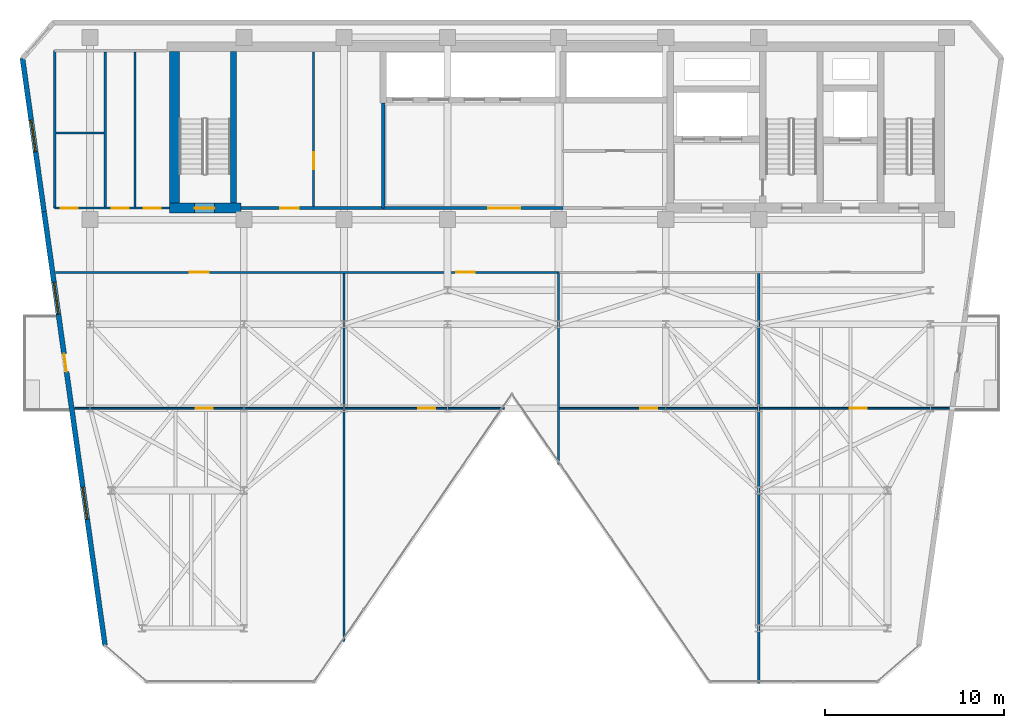
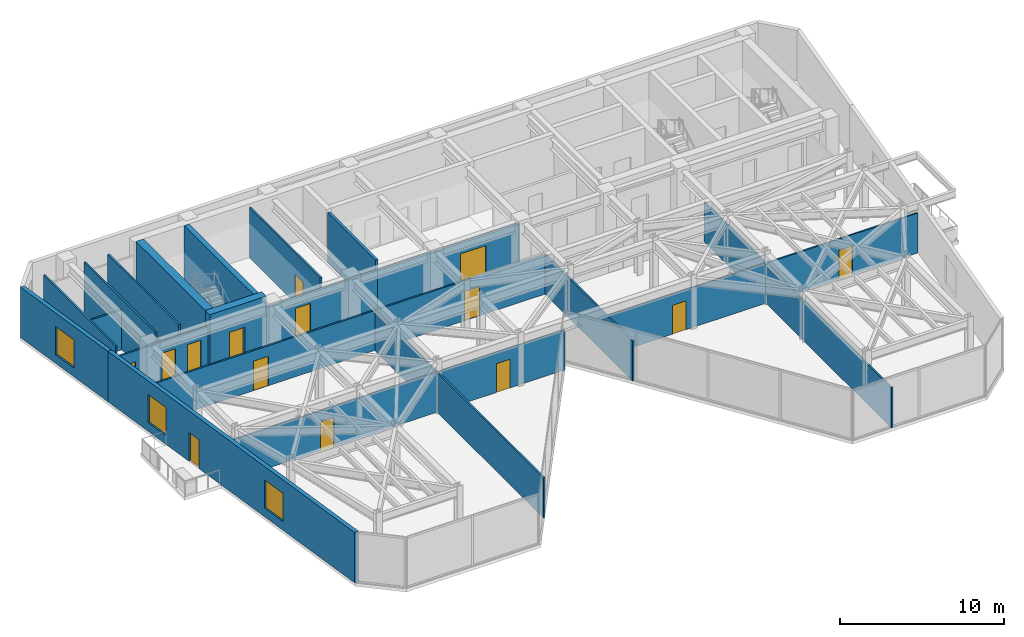
# One storey, part 16 of 21: 22 walls, 14 doors, 3 windows, 17 openings.
"""IFC4 building model written with IfcOpenShell, lengths in metres."""

from ifc_helpers import new_model, si_unit, direction, frame, frame_2d, origin, place, context, subcontext, project, spatial, rectangle, extrude, material, layer, layer_set, type_object, element, fill, save


model = new_model("IFC4")

# Units and contexts
model_context = context("Model", 3, precision=1e-05, world=origin(), true_north=direction((0.0, 1.0)))
body_context = subcontext(model_context, "Body", "Model", "MODEL_VIEW")
ifc_project = project(units=[si_unit("LENGTHUNIT", "METRE"), si_unit("AREAUNIT", "SQUARE_METRE"), si_unit("VOLUMEUNIT", "CUBIC_METRE"), si_unit("PLANEANGLEUNIT", "RADIAN"), si_unit("MASSUNIT", "GRAM", prefix="KILO")], contexts=[model_context])

# Site, building, storey
site_placement = place(None, origin())
site = spatial("IfcSite", under=ifc_project, at=site_placement, CompositionType="ELEMENT")
building_placement = place(site_placement, origin())
building = spatial("IfcBuilding", under=site, at=building_placement, Name="Kravanh Interchange Tower", CompositionType="ELEMENT")
storey_placement = place(building_placement, frame((0.0, 0.0, 208.5)))
storey = spatial("IfcBuildingStorey", under=building, at=storey_placement, Name="L50", CompositionType="ELEMENT", Elevation=208.5)

# Wall, opening, door
ifc_material_1 = material(Name="Double Acoustic Gypsum Board and Mineral Wool")
ifc_layer_1 = layer(ifc_material_1, 0.1201171875)
ifc_layer_set_1 = layer_set([ifc_layer_1], Name="Acoustic Office Drywall Partition 120mm")
wall_type_1 = type_object("IfcWallType", Name="Acoustic Office Drywall Partition 120mm", PredefinedType="PARTITIONING", material=ifc_layer_set_1)
wall_1_placement = place(storey_placement, frame((31.10009765625, 38.068115234375, 0.0), z_axis=(0.0, 0.0, 1.0), x_axis=(0.0, 1.0, 0.0)))
wall_1 = element("IfcWall", 1, at=wall_1_placement, inside=storey, type_object=wall_type_1, Name="L50 Interior Partition 5", PredefinedType="PARTITIONING", context=body_context, shape_type="SweptSolid", body=[
    extrude(rectangle(XDim=8.673828125, YDim=0.1201171875, at=frame_2d((4.3369140625, 0.0))), origin(), (0.0, 0.0, 1.0), 3.7548828125),
])
opening_1_placement = place(wall_1_placement, frame((2.115966796875, 0.0, 0.0)))
opening_1 = element("IfcOpeningElement", 2, at=opening_1_placement, cuts=wall_1, Name="Opening D-95", PredefinedType="OPENING", context=body_context, shape_type="SweptSolid", body=[
    extrude(rectangle(XDim=0.949951171875, YDim=2.14990234375, at=frame_2d((0.47509765625, 1.074951171875))), frame((0.0, 0.070068359375, 0.0), z_axis=(0.0, -1.0, 0.0), x_axis=(1.0, 0.0, 0.0)), (0.0, 0.0, 1.0), 0.14013671875),
])
ifc_material_2 = material(Name="Laminate Solid-Core Timber", Category="wood")
door_type_1 = type_object("IfcDoorType", Name="Accessible Restroom Door 950x2150", OperationType="NOTDEFINED", PredefinedType="DOOR", material=ifc_material_2)
door_1_placement = place(opening_1_placement, origin())
door_1 = element("IfcDoor", 3, at=door_1_placement, inside=storey, type_object=door_type_1, Name="L50 Reclaimed Archive Inner Door", OperationType="SINGLE_SWING_RIGHT", OverallHeight=2.14990234375, OverallWidth=0.949951171875, PredefinedType="DOOR", context=body_context, shape_type="SweptSolid", body=[
    extrude(rectangle(XDim=0.949951171875, YDim=2.14990234375, at=frame_2d((0.47509765625, 1.074951171875))), frame((0.0, 0.02490234375, 0.0), z_axis=(0.0, -1.0, 0.0), x_axis=(1.0, 0.0, 0.0)), (0.0, 0.0, 1.0), 0.050048828125),
])
fill(opening_1, door_1)

# Wall, openings, doors
wall_2_placement = place(storey_placement, frame((16.6201171875, 38.0, 0.0), z_axis=(0.0, 0.0, 1.0), x_axis=(1.0, 0.0, 0.0)))
wall_2 = element("IfcWall", 4, at=wall_2_placement, inside=storey, type_object=wall_type_1, Name="L50 Restroom Corridor Wall 7", PredefinedType="PARTITIONING", context=body_context, shape_type="SweptSolid", body=[
    extrude(rectangle(XDim=6.429931640625, YDim=0.1201171875, at=frame_2d((3.21484375, 0.0))), origin(), (0.0, 0.0, 1.0), 2.98193359375),
])
opening_2_placement = place(wall_2_placement, frame((0.348876953125, 0.0, 0.0)))
opening_2 = element("IfcOpeningElement", 5, at=opening_2_placement, cuts=wall_2, Name="Opening D-95", PredefinedType="OPENING", context=body_context, shape_type="SweptSolid", body=[
    extrude(rectangle(XDim=0.949951171875, YDim=2.14990234375, at=frame_2d((0.47509765625, 1.074951171875))), frame((0.0, 0.070068359375, 0.0), z_axis=(0.0, -1.0, 0.0), x_axis=(1.0, 0.0, 0.0)), (0.0, 0.0, 1.0), 0.14013671875),
])
opening_3_placement = place(wall_2_placement, frame((3.18505859375, 0.0, 0.0)))
opening_3 = element("IfcOpeningElement", 6, at=opening_3_placement, cuts=wall_2, Name="Opening D-95", PredefinedType="OPENING", context=body_context, shape_type="SweptSolid", body=[
    extrude(rectangle(XDim=0.949951171875, YDim=2.14990234375, at=frame_2d((0.47509765625, 1.074951171875))), frame((0.0, 0.070068359375, 0.0), z_axis=(0.0, -1.0, 0.0), x_axis=(1.0, 0.0, 0.0)), (0.0, 0.0, 1.0), 0.14013671875),
])
opening_4_placement = place(wall_2_placement, frame((4.97509765625, 0.0, 0.0)))
opening_4 = element("IfcOpeningElement", 7, at=opening_4_placement, cuts=wall_2, Name="Opening D-95", PredefinedType="OPENING", context=body_context, shape_type="SweptSolid", body=[
    extrude(rectangle(XDim=0.949951171875, YDim=2.14990234375, at=frame_2d((0.47509765625, 1.074951171875))), frame((0.0, 0.070068359375, 0.0), z_axis=(0.0, -1.0, 0.0), x_axis=(1.0, 0.0, 0.0)), (0.0, 0.0, 1.0), 0.14013671875),
])
door_2_placement = place(opening_2_placement, origin())
door_2 = element("IfcDoor", 8, at=door_2_placement, inside=storey, type_object=door_type_1, Name="L50 Accessible WC Door", OperationType="SINGLE_SWING_LEFT", OverallHeight=2.14990234375, OverallWidth=0.949951171875, PredefinedType="DOOR", context=body_context, shape_type="SweptSolid", body=[
    extrude(rectangle(XDim=0.949951171875, YDim=2.14990234375, at=frame_2d((0.47509765625, 1.074951171875))), frame((0.0, 0.02490234375, 0.0), z_axis=(0.0, -1.0, 0.0), x_axis=(1.0, 0.0, 0.0)), (0.0, 0.0, 1.0), 0.050048828125),
])
fill(opening_2, door_2)
door_3_placement = place(opening_3_placement, origin())
door_3 = element("IfcDoor", 9, at=door_3_placement, inside=storey, type_object=door_type_1, Name="L50 Female WC Door", OperationType="SINGLE_SWING_RIGHT", OverallHeight=2.14990234375, OverallWidth=0.949951171875, PredefinedType="DOOR", context=body_context, shape_type="SweptSolid", body=[
    extrude(rectangle(XDim=0.949951171875, YDim=2.14990234375, at=frame_2d((0.47509765625, 1.074951171875))), frame((0.0, 0.02490234375, 0.0), z_axis=(0.0, -1.0, 0.0), x_axis=(1.0, 0.0, 0.0)), (0.0, 0.0, 1.0), 0.050048828125),
])
fill(opening_3, door_3)
door_4_placement = place(opening_4_placement, origin())
door_4 = element("IfcDoor", 10, at=door_4_placement, inside=storey, type_object=door_type_1, Name="L50 Male WC Door", OperationType="SINGLE_SWING_LEFT", OverallHeight=2.14990234375, OverallWidth=0.949951171875, PredefinedType="DOOR", context=body_context, shape_type="SweptSolid", body=[
    extrude(rectangle(XDim=0.949951171875, YDim=2.14990234375, at=frame_2d((0.47509765625, 1.074951171875))), frame((0.0, 0.02490234375, 0.0), z_axis=(0.0, -1.0, 0.0), x_axis=(1.0, 0.0, 0.0)), (0.0, 0.0, 1.0), 0.050048828125),
])
fill(opening_4, door_4)

# Walls
wall_3_placement = place(storey_placement, frame((16.6201171875, 38.0, 0.0), z_axis=(0.0, 0.0, 1.0), x_axis=(0.0, 1.0, 0.0)))
element("IfcWall", 11, at=wall_3_placement, inside=storey, type_object=wall_type_1, Name="L50 Restroom West Enclosure 8", PredefinedType="PARTITIONING", context=body_context, shape_type="SweptSolid", body=[
    extrude(rectangle(XDim=8.800048828125, YDim=0.1201171875, at=frame_2d((4.39990234375, 0.0))), origin(), (0.0, 0.0, 1.0), 3.7548828125),
])
for number, where, z_axis, x_axis, name in (
    (12, (19.449951171875, 38.068115234375, 0.0), (0.0, 0.0, 1.0), (0.0, 1.0, 0.0), "L50 Interior Partition 10"),
    (13, (21.110107421875, 38.068115234375, 0.0), (0.0, 0.0, 1.0), (0.0, 1.0, 0.0), "L50 Interior Partition 11"),
):
    element("IfcWall", number, at=place(storey_placement, frame(where, z_axis=z_axis, x_axis=x_axis)), inside=storey, type_object=wall_type_1, Name=name, PredefinedType="PARTITIONING", context=body_context, shape_type="SweptSolid", body=[
        extrude(rectangle(XDim=8.663818359375, YDim=0.1201171875, at=frame_2d((4.33203125, 0.0))), origin(), (0.0, 0.0, 1.0), 3.7548828125),
    ])
wall_4_placement = place(storey_placement, frame((16.68798828125, 42.199951171875, 0.0), z_axis=(0.0, 0.0, 1.0), x_axis=(1.0, 0.0, 0.0)))
element("IfcWall", 14, at=wall_4_placement, inside=storey, type_object=wall_type_1, Name="L50 Interior Partition 12", PredefinedType="PARTITIONING", context=body_context, shape_type="SweptSolid", body=[
    extrude(rectangle(XDim=2.694091796875, YDim=0.1201171875, at=frame_2d((1.34716796875, 0.0))), origin(), (0.0, 0.0, 1.0), 2.98193359375),
])

# Wall, openings, doors
wall_5_placement = place(storey_placement, frame((16.66943359375, 34.39990234375, 0.0), z_axis=(0.0, 0.0, 1.0), x_axis=(1.0, 0.0, 0.0)))
wall_5 = element("IfcWall", 15, at=wall_5_placement, inside=storey, type_object=wall_type_1, Name="L50 Interior Partition 13", PredefinedType="PARTITIONING", context=body_context, shape_type="SweptSolid", body=[
    extrude(rectangle(XDim=28.130615234375, YDim=0.1201171875, at=frame_2d((14.0654296875, 0.0))), origin(), (0.0, 0.0, 1.0), 2.98193359375),
])
opening_5_placement = place(wall_5_placement, frame((7.515380859375, 0.0, 0.0)))
opening_5 = element("IfcOpeningElement", 16, at=opening_5_placement, cuts=wall_5, Name="Opening D-105", PredefinedType="OPENING", context=body_context, shape_type="SweptSolid", body=[
    extrude(rectangle(XDim=1.050048828125, YDim=2.199951171875, at=frame_2d((0.52490234375, 1.10009765625))), frame((0.0, 0.070068359375, 0.0), z_axis=(0.0, -1.0, 0.0), x_axis=(1.0, 0.0, 0.0)), (0.0, 0.0, 1.0), 0.14013671875),
])
opening_6_placement = place(wall_5_placement, frame((22.4091796875, 0.0, 0.0)))
opening_6 = element("IfcOpeningElement", 17, at=opening_6_placement, cuts=wall_5, Name="Opening D-105", PredefinedType="OPENING", context=body_context, shape_type="SweptSolid", body=[
    extrude(rectangle(XDim=1.050048828125, YDim=2.199951171875, at=frame_2d((0.52490234375, 1.10009765625))), frame((0.0, 0.070068359375, 0.0), z_axis=(0.0, -1.0, 0.0), x_axis=(1.0, 0.0, 0.0)), (0.0, 0.0, 1.0), 0.14013671875),
])
ifc_material_3 = material(Name="Acoustic Glazed Oak and Aluminium", Category="aluminium")
door_type_2 = type_object("IfcDoorType", Name="Office Workplace Door 1050x2200", OperationType="NOTDEFINED", PredefinedType="DOOR", material=ifc_material_3)
door_5_placement = place(opening_5_placement, origin())
door_5 = element("IfcDoor", 18, at=door_5_placement, inside=storey, type_object=door_type_2, Name="L50 North Culinary Kitchenette 13A Door", OperationType="SINGLE_SWING_RIGHT", OverallHeight=2.199951171875, OverallWidth=1.050048828125, PredefinedType="DOOR", context=body_context, shape_type="SweptSolid", body=[
    extrude(rectangle(XDim=1.050048828125, YDim=2.199951171875, at=frame_2d((0.52490234375, 1.10009765625))), frame((0.0, 0.02490234375, 0.0), z_axis=(0.0, -1.0, 0.0), x_axis=(1.0, 0.0, 0.0)), (0.0, 0.0, 1.0), 0.050048828125),
])
fill(opening_5, door_5)
door_6_placement = place(opening_6_placement, origin())
door_6 = element("IfcDoor", 19, at=door_6_placement, inside=storey, type_object=door_type_2, Name="L50 North Briefing Meeting 13B Door", OperationType="SINGLE_SWING_RIGHT", OverallHeight=2.199951171875, OverallWidth=1.050048828125, PredefinedType="DOOR", context=body_context, shape_type="SweptSolid", body=[
    extrude(rectangle(XDim=1.050048828125, YDim=2.199951171875, at=frame_2d((0.52490234375, 1.10009765625))), frame((0.0, 0.02490234375, 0.0), z_axis=(0.0, -1.0, 0.0), x_axis=(1.0, 0.0, 0.0)), (0.0, 0.0, 1.0), 0.050048828125),
])
fill(opening_6, door_6)

# Walls
wall_6_placement = place(storey_placement, frame((32.800048828125, 13.753662109375, 0.0), z_axis=(0.0, 0.0, 1.0), x_axis=(0.0, 1.0, 0.0)))
element("IfcWall", 20, at=wall_6_placement, inside=storey, type_object=wall_type_1, Name="L50 Interior Partition 17", PredefinedType="PARTITIONING", context=body_context, shape_type="SweptSolid", body=[
    extrude(rectangle(XDim=20.578369140625, YDim=0.1201171875, at=frame_2d((10.2890625, 0.0))), origin(), (0.0, 0.0, 1.0), 2.98193359375),
])
wall_7_placement = place(storey_placement, frame((44.800048828125, 23.644775390625, 0.0), z_axis=(0.0, 0.0, 1.0), x_axis=(0.0, 1.0, 0.0)))
element("IfcWall", 21, at=wall_7_placement, inside=storey, type_object=wall_type_1, Name="L50 Interior Partition 19", PredefinedType="PARTITIONING", context=body_context, shape_type="SweptSolid", body=[
    extrude(rectangle(XDim=10.755126953125, YDim=0.1201171875, at=frame_2d((5.37744140625, 0.0))), origin(), (0.0, 0.0, 1.0), 2.98193359375),
])
wall_8_placement = place(storey_placement, frame((56.0, 11.4150390625, 0.0), z_axis=(0.0, 0.0, 1.0), x_axis=(0.0, 1.0, 0.0)))
element("IfcWall", 22, at=wall_8_placement, inside=storey, type_object=wall_type_1, Name="L50 Interior Partition 21", PredefinedType="PARTITIONING", context=body_context, shape_type="SweptSolid", body=[
    extrude(rectangle(XDim=22.9169921875, YDim=0.1201171875, at=frame_2d((11.45849609375, 0.0))), origin(), (0.0, 0.0, 1.0), 2.98193359375),
])
ifc_material_4 = material(Name="Concrete C60/75", Category="concrete")
ifc_layer_2 = layer(ifc_material_4, 0.35009765625)
ifc_layer_set_2 = layer_set([ifc_layer_2], Name="Core Shear Wall Concrete C60/75 350mm")
wall_type_2 = type_object("IfcWallType", Name="Core Shear Wall Concrete C60/75 350mm", PredefinedType="SHEAR", material=ifc_layer_set_2)
wall_9_placement = place(storey_placement, frame((26.625, 38.27490234375, 0.0), z_axis=(0.0, 0.0, 1.0), x_axis=(0.0, 1.0, 0.0)))
element("IfcWall", 23, at=wall_9_placement, inside=storey, type_object=wall_type_2, Name="L50 Stair ST3 East Shear Wall", PredefinedType="SHEAR", context=body_context, shape_type="SweptSolid", body=[
    extrude(rectangle(XDim=8.47509765625, YDim=0.35009765625, at=frame_2d((4.237548828125, 0.0))), origin(), (0.0, 0.0, 1.0), 4.0),
])

# Wall, opening, door
ifc_material_5 = material(Name="Concrete C70/85", Category="concrete")
ifc_layer_3 = layer(ifc_material_5, 0.550048828125)
ifc_layer_set_3 = layer_set([ifc_layer_3], Name="Core Shear Wall Concrete C70/85 550mm")
wall_type_3 = type_object("IfcWallType", Name="Core Shear Wall Concrete C70/85 550mm", PredefinedType="SHEAR", material=ifc_layer_set_3)
wall_10_placement = place(storey_placement, frame((23.050048828125, 38.0, 0.0), z_axis=(0.0, 0.0, 1.0), x_axis=(1.0, 0.0, 0.0)))
wall_10 = element("IfcWall", 24, at=wall_10_placement, inside=storey, type_object=wall_type_3, Name="L50 Stair ST3 South Shear Wall", PredefinedType="SHEAR", context=body_context, shape_type="SweptSolid", body=[
    extrude(rectangle(XDim=4.0, YDim=0.550048828125, at=frame_2d((2.0, 0.0))), origin(), (0.0, 0.0, 1.0), 4.0),
])
opening_7_placement = place(wall_10_placement, frame((1.39990234375, 0.0, 0.0)))
opening_7 = element("IfcOpeningElement", 25, at=opening_7_placement, cuts=wall_10, Name="Opening D-STAIR-110", PredefinedType="OPENING", context=body_context, shape_type="SweptSolid", body=[
    extrude(rectangle(XDim=1.10009765625, YDim=2.199951171875, at=frame_2d((0.550048828125, 1.10009765625))), frame((0.0, 0.28515625, 0.0), z_axis=(0.0, -1.0, 0.0), x_axis=(1.0, 0.0, 0.0)), (0.0, 0.0, 1.0), 0.570068359375),
])
ifc_material_6 = material(Name="Structural Steel S355", Category="steel")
door_type_3 = type_object("IfcDoorType", Name="Fire-Rated Exit Stair Door 1100x2200", OperationType="NOTDEFINED", PredefinedType="DOOR", material=ifc_material_6)
door_7_placement = place(opening_7_placement, origin())
door_7 = element("IfcDoor", 26, at=door_7_placement, inside=storey, type_object=door_type_3, Name="L50 Exit Stair ST3 Door", OperationType="SINGLE_SWING_RIGHT", OverallHeight=2.199951171875, OverallWidth=1.10009765625, PredefinedType="DOOR", context=body_context, shape_type="SweptSolid", body=[
    extrude(rectangle(XDim=1.10009765625, YDim=2.199951171875, at=frame_2d((0.550048828125, 1.10009765625))), frame((0.0, 0.02490234375, 0.0), z_axis=(0.0, -1.0, 0.0), x_axis=(1.0, 0.0, 0.0)), (0.0, 0.0, 1.0), 0.050048828125),
])
fill(opening_7, door_7)

# Wall
wall_11_placement = place(storey_placement, frame((23.324951171875, 38.27490234375, 0.0), z_axis=(0.0, 0.0, 1.0), x_axis=(0.0, 1.0, 0.0)))
element("IfcWall", 27, at=wall_11_placement, inside=storey, type_object=wall_type_3, Name="L50 Stair ST3 West Shear Wall", PredefinedType="SHEAR", context=body_context, shape_type="SweptSolid", body=[
    extrude(rectangle(XDim=8.47509765625, YDim=0.550048828125, at=frame_2d((4.237548828125, 0.0))), origin(), (0.0, 0.0, 1.0), 4.0),
])

# Wall, opening, door
ifc_material_7 = material(Name="Moisture-Resistant Gypsum Board and Mineral Wool")
ifc_layer_4 = layer(ifc_material_7, 0.10009765625)
ifc_layer_set_4 = layer_set([ifc_layer_4], Name="En-Suite Moisture-Resistant Partition 100mm")
wall_type_4 = type_object("IfcWallType", Name="En-Suite Moisture-Resistant Partition 100mm", PredefinedType="PARTITIONING", material=ifc_layer_set_4)
wall_12_placement = place(storey_placement, frame((17.737548828125, 26.800048828125, 0.0), z_axis=(0.0, 0.0, 1.0), x_axis=(1.0, 0.0, 0.0)))
wall_12 = element("IfcWall", 28, at=wall_12_placement, inside=storey, type_object=wall_type_4, Name="L50 Interior Partition 16", PredefinedType="PARTITIONING", context=body_context, shape_type="SweptSolid", body=[
    extrude(rectangle(XDim=14.994384765625, YDim=0.10009765625, at=frame_2d((7.4970703125, 0.0))), origin(), (0.0, 0.0, 1.0), 2.98193359375),
])
opening_8_placement = place(wall_12_placement, frame((6.77490234375, 0.0, 0.0)))
opening_8 = element("IfcOpeningElement", 29, at=opening_8_placement, cuts=wall_12, Name="Opening D-95", PredefinedType="OPENING", context=body_context, shape_type="SweptSolid", body=[
    extrude(rectangle(XDim=0.949951171875, YDim=2.14990234375, at=frame_2d((0.47509765625, 1.074951171875))), frame((0.0, 0.06005859375, 0.0), z_axis=(0.0, -1.0, 0.0), x_axis=(1.0, 0.0, 0.0)), (0.0, 0.0, 1.0), 0.1201171875),
])
door_8_placement = place(opening_8_placement, origin())
door_8 = element("IfcDoor", 30, at=door_8_placement, inside=storey, type_object=door_type_1, Name="L50 SW Catering Kitchenette 13E Inner Door", OperationType="SINGLE_SWING_LEFT", OverallHeight=2.14990234375, OverallWidth=0.949951171875, PredefinedType="DOOR", context=body_context, shape_type="SweptSolid", body=[
    extrude(rectangle(XDim=0.949951171875, YDim=2.14990234375, at=frame_2d((0.47509765625, 1.074951171875))), frame((0.0, 0.02490234375, 0.0), z_axis=(0.0, -1.0, 0.0), x_axis=(1.0, 0.0, 0.0)), (0.0, 0.0, 1.0), 0.050048828125),
])
fill(opening_8, door_8)

wall_13_placement = place(storey_placement, frame((32.867919921875, 26.800048828125, 0.0), z_axis=(0.0, 0.0, 1.0), x_axis=(1.0, 0.0, 0.0)))
wall_13 = element("IfcWall", 31, at=wall_13_placement, inside=storey, type_object=wall_type_4, Name="L50 Interior Partition 18", PredefinedType="PARTITIONING", context=body_context, shape_type="SweptSolid", body=[
    extrude(rectangle(XDim=8.9013671875, YDim=0.10009765625, at=frame_2d((4.45068359375, 0.0))), origin(), (0.0, 0.0, 1.0), 2.98193359375),
])
opening_9_placement = place(wall_13_placement, frame((4.086669921875, 0.0, 0.0)))
opening_9 = element("IfcOpeningElement", 32, at=opening_9_placement, cuts=wall_13, Name="Opening D-95", PredefinedType="OPENING", context=body_context, shape_type="SweptSolid", body=[
    extrude(rectangle(XDim=0.949951171875, YDim=2.14990234375, at=frame_2d((0.47509765625, 1.074951171875))), frame((0.0, 0.06005859375, 0.0), z_axis=(0.0, -1.0, 0.0), x_axis=(1.0, 0.0, 0.0)), (0.0, 0.0, 1.0), 0.1201171875),
])
door_9_placement = place(opening_9_placement, origin())
door_9 = element("IfcDoor", 33, at=door_9_placement, inside=storey, type_object=door_type_1, Name="L50 South Caucus Meeting 13F Inner Door", OperationType="SINGLE_SWING_LEFT", OverallHeight=2.14990234375, OverallWidth=0.949951171875, PredefinedType="DOOR", context=body_context, shape_type="SweptSolid", body=[
    extrude(rectangle(XDim=0.949951171875, YDim=2.14990234375, at=frame_2d((0.47509765625, 1.074951171875))), frame((0.0, 0.02490234375, 0.0), z_axis=(0.0, -1.0, 0.0), x_axis=(1.0, 0.0, 0.0)), (0.0, 0.0, 1.0), 0.050048828125),
])
fill(opening_9, door_9)

wall_14_placement = place(storey_placement, frame((44.867919921875, 26.800048828125, 0.0), z_axis=(0.0, 0.0, 1.0), x_axis=(1.0, 0.0, 0.0)))
wall_14 = element("IfcWall", 34, at=wall_14_placement, inside=storey, type_object=wall_type_4, Name="L50 Interior Partition 20", PredefinedType="PARTITIONING", context=body_context, shape_type="SweptSolid", body=[
    extrude(rectangle(XDim=11.06396484375, YDim=0.10009765625, at=frame_2d((5.531982421875, 0.0))), origin(), (0.0, 0.0, 1.0), 2.98193359375),
])
opening_10_placement = place(wall_14_placement, frame((4.492919921875, 0.0, 0.0)))
opening_10 = element("IfcOpeningElement", 35, at=opening_10_placement, cuts=wall_14, Name="Opening D-95", PredefinedType="OPENING", context=body_context, shape_type="SweptSolid", body=[
    extrude(rectangle(XDim=0.949951171875, YDim=2.14990234375, at=frame_2d((0.47509765625, 1.074951171875))), frame((0.0, 0.06005859375, 0.0), z_axis=(0.0, -1.0, 0.0), x_axis=(1.0, 0.0, 0.0)), (0.0, 0.0, 1.0), 0.1201171875),
])
door_10_placement = place(opening_10_placement, origin())
door_10 = element("IfcDoor", 36, at=door_10_placement, inside=storey, type_object=door_type_1, Name="L50 South Seminar Meeting 13G Inner Door", OperationType="SINGLE_SWING_LEFT", OverallHeight=2.14990234375, OverallWidth=0.949951171875, PredefinedType="DOOR", context=body_context, shape_type="SweptSolid", body=[
    extrude(rectangle(XDim=0.949951171875, YDim=2.14990234375, at=frame_2d((0.47509765625, 1.074951171875))), frame((0.0, 0.02490234375, 0.0), z_axis=(0.0, -1.0, 0.0), x_axis=(1.0, 0.0, 0.0)), (0.0, 0.0, 1.0), 0.050048828125),
])
fill(opening_10, door_10)

wall_15_placement = place(storey_placement, frame((56.068115234375, 26.800048828125, 0.0), z_axis=(0.0, 0.0, 1.0), x_axis=(1.0, 0.0, 0.0)))
wall_15 = element("IfcWall", 37, at=wall_15_placement, inside=storey, type_object=wall_type_4, Name="L50 Interior Partition 22", PredefinedType="PARTITIONING", context=body_context, shape_type="SweptSolid", body=[
    extrude(rectangle(XDim=10.59423828125, YDim=0.10009765625, at=frame_2d((5.297119140625, 0.0))), origin(), (0.0, 0.0, 1.0), 2.98193359375),
])
opening_11_placement = place(wall_15_placement, frame((5.029541015625, 0.0, 0.0)))
opening_11 = element("IfcOpeningElement", 38, at=opening_11_placement, cuts=wall_15, Name="Opening D-95", PredefinedType="OPENING", context=body_context, shape_type="SweptSolid", body=[
    extrude(rectangle(XDim=0.949951171875, YDim=2.14990234375, at=frame_2d((0.47509765625, 1.074951171875))), frame((0.0, 0.06005859375, 0.0), z_axis=(0.0, -1.0, 0.0), x_axis=(1.0, 0.0, 0.0)), (0.0, 0.0, 1.0), 0.1201171875),
])
door_11_placement = place(opening_11_placement, origin())
door_11 = element("IfcDoor", 39, at=door_11_placement, inside=storey, type_object=door_type_1, Name="L50 SE Archive Store 13H Inner Door", OperationType="SINGLE_SWING_LEFT", OverallHeight=2.14990234375, OverallWidth=0.949951171875, PredefinedType="DOOR", context=body_context, shape_type="SweptSolid", body=[
    extrude(rectangle(XDim=0.949951171875, YDim=2.14990234375, at=frame_2d((0.47509765625, 1.074951171875))), frame((0.0, 0.02490234375, 0.0), z_axis=(0.0, -1.0, 0.0), x_axis=(1.0, 0.0, 0.0)), (0.0, 0.0, 1.0), 0.050048828125),
])
fill(opening_11, door_11)

# Wall, openings, door, windows
ifc_material_8 = material(Name="Insulated Precast Concrete C40/50 with Bronze Cladding", Category="concrete")
ifc_layer_5 = layer(ifc_material_8, 0.280029296875)
ifc_layer_set_5 = layer_set([ifc_layer_5], Name="Exterior Insulated Concrete C40/50 Bronze Spandrel Wall 280mm")
wall_type_5 = type_object("IfcWallType", Name="Exterior Insulated Concrete C40/50 Bronze Spandrel Wall 280mm", PredefinedType="STANDARD", material=ifc_layer_set_5)
wall_16_placement = place(storey_placement, frame((19.434326171875, 13.540771484375, 0.0), z_axis=(0.0, 0.0, 1.0), x_axis=(-0.139173290738, 0.99026804207, 0.0)))
wall_16 = element("IfcWall", 40, at=wall_16_placement, inside=storey, type_object=wall_type_5, Name="L50 Exterior Wall 1", PredefinedType="STANDARD", context=body_context, shape_type="SweptSolid", body=[
    extrude(rectangle(XDim=24.497802734375, YDim=0.280029296875, at=frame_2d((12.2490234375, 0.0))), origin(), (0.0, 0.0, 1.0), 3.7548828125),
])
opening_12_placement = place(wall_16_placement, frame((15.461181640625, 0.0, 0.0)))
opening_12 = element("IfcOpeningElement", 41, at=opening_12_placement, cuts=wall_16, Name="Opening ED-BAL100", PredefinedType="OPENING", context=body_context, shape_type="SweptSolid", body=[
    extrude(rectangle(XDim=1.0, YDim=2.14990234375, at=frame_2d((0.5, 1.074951171875))), frame((0.0, 0.14990234375, 0.0), z_axis=(0.0, -1.0, 0.0), x_axis=(1.0, 0.0, 0.0)), (0.0, 0.0, 1.0), 0.300048828125),
])
opening_13_placement = place(wall_16_placement, frame((7.12646484375, 0.0, 0.64990234375)))
opening_13 = element("IfcOpeningElement", 42, at=opening_13_placement, cuts=wall_16, Name="Opening WN-180X210", PredefinedType="OPENING", context=body_context, shape_type="SweptSolid", body=[
    extrude(rectangle(XDim=1.800048828125, YDim=2.10009765625, at=frame_2d((0.89990234375, 1.050048828125))), frame((0.0, 0.14990234375, 0.0), z_axis=(0.0, -1.0, 0.0), x_axis=(1.0, 0.0, 0.0)), (0.0, 0.0, 1.0), 0.300048828125),
])
opening_14_placement = place(wall_16_placement, frame((18.7080078125, 0.0, 0.64990234375)))
opening_14 = element("IfcOpeningElement", 43, at=opening_14_placement, cuts=wall_16, Name="Opening WN-180X210", PredefinedType="OPENING", context=body_context, shape_type="SweptSolid", body=[
    extrude(rectangle(XDim=1.800048828125, YDim=2.10009765625, at=frame_2d((0.89990234375, 1.050048828125))), frame((0.0, 0.14990234375, 0.0), z_axis=(0.0, -1.0, 0.0), x_axis=(1.0, 0.0, 0.0)), (0.0, 0.0, 1.0), 0.300048828125),
])
ifc_material_9 = material(Name="Thermally Broken Bronze Aluminium and Laminated Glass", Category="aluminium")
door_type_4 = type_object("IfcDoorType", Name="Balcony Glazed Door 1000x2150", OperationType="NOTDEFINED", PredefinedType="DOOR", material=ifc_material_9)
door_12_placement = place(opening_12_placement, origin())
door_12 = element("IfcDoor", 44, at=door_12_placement, inside=storey, type_object=door_type_4, Name="L50 W Tree Balcony Access Door", OperationType="SINGLE_SWING_LEFT", OverallHeight=2.14990234375, OverallWidth=1.0, PredefinedType="DOOR", context=body_context, shape_type="SweptSolid", body=[
    extrude(rectangle(XDim=1.0, YDim=2.14990234375, at=frame_2d((0.5, 1.074951171875))), frame((0.0, 0.02490234375, 0.0), z_axis=(0.0, -1.0, 0.0), x_axis=(1.0, 0.0, 0.0)), (0.0, 0.0, 1.0), 0.050048828125),
])
fill(opening_12, door_12)
ifc_material_10 = material(Name="Thermally Broken Bronze Aluminium and Low-E Glass", Category="aluminium")
window_type = type_object("IfcWindowType", Name="Tower Pier Window 1800x2100", PartitioningType="SINGLE_PANEL", PredefinedType="WINDOW", material=ifc_material_10)
window_1_placement = place(opening_13_placement, origin())
window_1 = element("IfcWindow", 45, at=window_1_placement, inside=storey, type_object=window_type, Name="L50 Facade Window 1A", OverallHeight=2.10009765625, OverallWidth=1.800048828125, PartitioningType="SINGLE_PANEL", PredefinedType="WINDOW", context=body_context, shape_type="SweptSolid", body=[
    extrude(rectangle(XDim=1.800048828125, YDim=2.10009765625, at=frame_2d((0.89990234375, 1.050048828125))), frame((0.0, 0.030029296875, 0.0), z_axis=(0.0, -1.0, 0.0), x_axis=(1.0, 0.0, 0.0)), (0.0, 0.0, 1.0), 0.06005859375),
])
fill(opening_13, window_1)
window_2_placement = place(opening_14_placement, origin())
window_2 = element("IfcWindow", 46, at=window_2_placement, inside=storey, type_object=window_type, Name="L50 Facade Window 1B", OverallHeight=2.10009765625, OverallWidth=1.800048828125, PartitioningType="SINGLE_PANEL", PredefinedType="WINDOW", context=body_context, shape_type="SweptSolid", body=[
    extrude(rectangle(XDim=1.800048828125, YDim=2.10009765625, at=frame_2d((0.89990234375, 1.050048828125))), frame((0.0, 0.030029296875, 0.0), z_axis=(0.0, -1.0, 0.0), x_axis=(1.0, 0.0, 0.0)), (0.0, 0.0, 1.0), 0.06005859375),
])
fill(opening_14, window_2)

# Wall, opening, window
wall_17_placement = place(storey_placement, frame((16.02490234375, 37.800048828125, 0.0), z_axis=(0.0, 0.0, 1.0), x_axis=(-0.13918102754, 0.990266954701, 0.0)))
wall_17 = element("IfcWall", 47, at=wall_17_placement, inside=storey, type_object=wall_type_5, Name="L50 Exterior Wall 2", PredefinedType="STANDARD", context=body_context, shape_type="SweptSolid", body=[
    extrude(rectangle(XDim=8.667236328125, YDim=0.280029296875, at=frame_2d((4.33349609375, 0.0))), origin(), (0.0, 0.0, 1.0), 3.7548828125),
])
opening_15_placement = place(wall_17_placement, frame((3.37353515625, 0.0, 0.64990234375)))
opening_15 = element("IfcOpeningElement", 48, at=opening_15_placement, cuts=wall_17, Name="Opening WN-180X210", PredefinedType="OPENING", context=body_context, shape_type="SweptSolid", body=[
    extrude(rectangle(XDim=1.800048828125, YDim=2.10009765625, at=frame_2d((0.89990234375, 1.050048828125))), frame((0.0, 0.14990234375, 0.0), z_axis=(0.0, -1.0, 0.0), x_axis=(1.0, 0.0, 0.0)), (0.0, 0.0, 1.0), 0.300048828125),
])
window_3_placement = place(opening_15_placement, origin())
window_3 = element("IfcWindow", 49, at=window_3_placement, inside=storey, type_object=window_type, Name="L50 Corner Window 2", OverallHeight=2.10009765625, OverallWidth=1.800048828125, PartitioningType="SINGLE_PANEL", PredefinedType="WINDOW", context=body_context, shape_type="SweptSolid", body=[
    extrude(rectangle(XDim=1.800048828125, YDim=2.10009765625, at=frame_2d((0.89990234375, 1.050048828125))), frame((0.0, 0.030029296875, 0.0), z_axis=(0.0, -1.0, 0.0), x_axis=(1.0, 0.0, 0.0)), (0.0, 0.0, 1.0), 0.06005859375),
])
fill(opening_15, window_3)

# Wall
ifc_material_11 = material(Name="Autoclaved Aerated Concrete C30/37 Blockwork", Category="masonry")
ifc_layer_6 = layer(ifc_material_11, 0.179931640625)
ifc_layer_set_6 = layer_set([ifc_layer_6], Name="Fire-Rated Lobby and Corridor Wall Concrete C30/37 180mm")
wall_type_6 = type_object("IfcWallType", Name="Fire-Rated Lobby and Corridor Wall Concrete C30/37 180mm", PredefinedType="STANDARD", material=ifc_layer_set_6)
wall_18_placement = place(storey_placement, frame((35.0, 38.0, 0.0), z_axis=(0.0, 0.0, 1.0), x_axis=(0.0, 1.0, 0.0)))
element("IfcWall", 50, at=wall_18_placement, inside=storey, type_object=wall_type_6, Name="L50 Interior Partition 4", PredefinedType="STANDARD", context=body_context, shape_type="SweptSolid", body=[
    extrude(rectangle(XDim=5.875, YDim=0.179931640625, at=frame_2d((2.9375, 0.0))), origin(), (0.0, 0.0, 1.0), 3.7548828125),
])

# Wall, opening, door
wall_19_placement = place(storey_placement, frame((35.0, 38.0, 0.0), z_axis=(0.0, 0.0, 1.0), x_axis=(1.0, 0.0, 0.0)))
wall_19 = element("IfcWall", 51, at=wall_19_placement, inside=storey, type_object=wall_type_6, Name="L50 Interior Partition 6", PredefinedType="STANDARD", context=body_context, shape_type="SweptSolid", body=[
    extrude(rectangle(XDim=10.050048828125, YDim=0.179931640625, at=frame_2d((5.02490234375, 0.0))), origin(), (0.0, 0.0, 1.0), 2.98193359375),
])
opening_16_placement = place(wall_19_placement, frame((5.85791015625, 0.0, 0.0)))
opening_16 = element("IfcOpeningElement", 52, at=opening_16_placement, cuts=wall_19, Name="Opening DBL-180", PredefinedType="OPENING", context=body_context, shape_type="SweptSolid", body=[
    extrude(rectangle(XDim=1.800048828125, YDim=2.199951171875, at=frame_2d((0.89990234375, 1.10009765625))), frame((0.0, 0.10009765625, 0.0), z_axis=(0.0, -1.0, 0.0), x_axis=(1.0, 0.0, 0.0)), (0.0, 0.0, 1.0), 0.199951171875),
])
ifc_material_12 = material(Name="Structural Steel S355", Category="steel")
door_type_5 = type_object("IfcDoorType", Name="Lift Lobby Double Fire Door 1800x2200", OperationType="DOUBLE_DOOR_SINGLE_SWING", PredefinedType="DOOR", material=ifc_material_12)
door_13_placement = place(opening_16_placement, origin())
door_13 = element("IfcDoor", 53, at=door_13_placement, inside=storey, type_object=door_type_5, Name="L50 Mid-Rise Lift Lobby Door", OperationType="DOUBLE_DOOR_SINGLE_SWING", OverallHeight=2.199951171875, OverallWidth=1.800048828125, PredefinedType="DOOR", context=body_context, shape_type="SweptSolid", body=[
    extrude(rectangle(XDim=1.800048828125, YDim=2.199951171875, at=frame_2d((0.89990234375, 1.10009765625))), frame((0.0, 0.02490234375, 0.0), z_axis=(0.0, -1.0, 0.0), x_axis=(1.0, 0.0, 0.0)), (0.0, 0.0, 1.0), 0.050048828125),
])
fill(opening_16, door_13)

ifc_material_13 = material(Name="Twin Stud Acoustic Gypsum Board Wall")
ifc_layer_7 = layer(ifc_material_13, 0.14990234375)
ifc_layer_set_7 = layer_set([ifc_layer_7], Name="Medium-Duty Acoustic Partition 150mm")
wall_type_7 = type_object("IfcWallType", Name="Medium-Duty Acoustic Partition 150mm", PredefinedType="PARTITIONING", material=ifc_layer_set_7)
wall_20_placement = place(storey_placement, frame((27.050048828125, 38.0, 0.0), z_axis=(0.0, 0.0, 1.0), x_axis=(1.0, 0.0, 0.0)))
wall_20 = element("IfcWall", 54, at=wall_20_placement, inside=storey, type_object=wall_type_7, Name="L50 Interior Partition 3", PredefinedType="PARTITIONING", context=body_context, shape_type="SweptSolid", body=[
    extrude(rectangle(XDim=7.949951171875, YDim=0.14990234375, at=frame_2d((3.97509765625, 0.0))), origin(), (0.0, 0.0, 1.0), 2.98193359375),
])
opening_17_placement = place(wall_20_placement, frame((2.175048828125, 0.0, 0.0)))
opening_17 = element("IfcOpeningElement", 55, at=opening_17_placement, cuts=wall_20, Name="Opening D-105", PredefinedType="OPENING", context=body_context, shape_type="SweptSolid", body=[
    extrude(rectangle(XDim=1.050048828125, YDim=2.199951171875, at=frame_2d((0.52490234375, 1.10009765625))), frame((0.0, 0.0849609375, 0.0), z_axis=(0.0, -1.0, 0.0), x_axis=(1.0, 0.0, 0.0)), (0.0, 0.0, 1.0), 0.169921875),
])
door_14_placement = place(opening_17_placement, origin())
door_14 = element("IfcDoor", 56, at=door_14_placement, inside=storey, type_object=door_type_2, Name="L50 Reclaimed IT Hub Door", OperationType="SINGLE_SWING_LEFT", OverallHeight=2.199951171875, OverallWidth=1.050048828125, PredefinedType="DOOR", context=body_context, shape_type="SweptSolid", body=[
    extrude(rectangle(XDim=1.050048828125, YDim=2.199951171875, at=frame_2d((0.52490234375, 1.10009765625))), frame((0.0, 0.02490234375, 0.0), z_axis=(0.0, -1.0, 0.0), x_axis=(1.0, 0.0, 0.0)), (0.0, 0.0, 1.0), 0.050048828125),
])
fill(opening_17, door_14)

save(model, "model.ifc")
